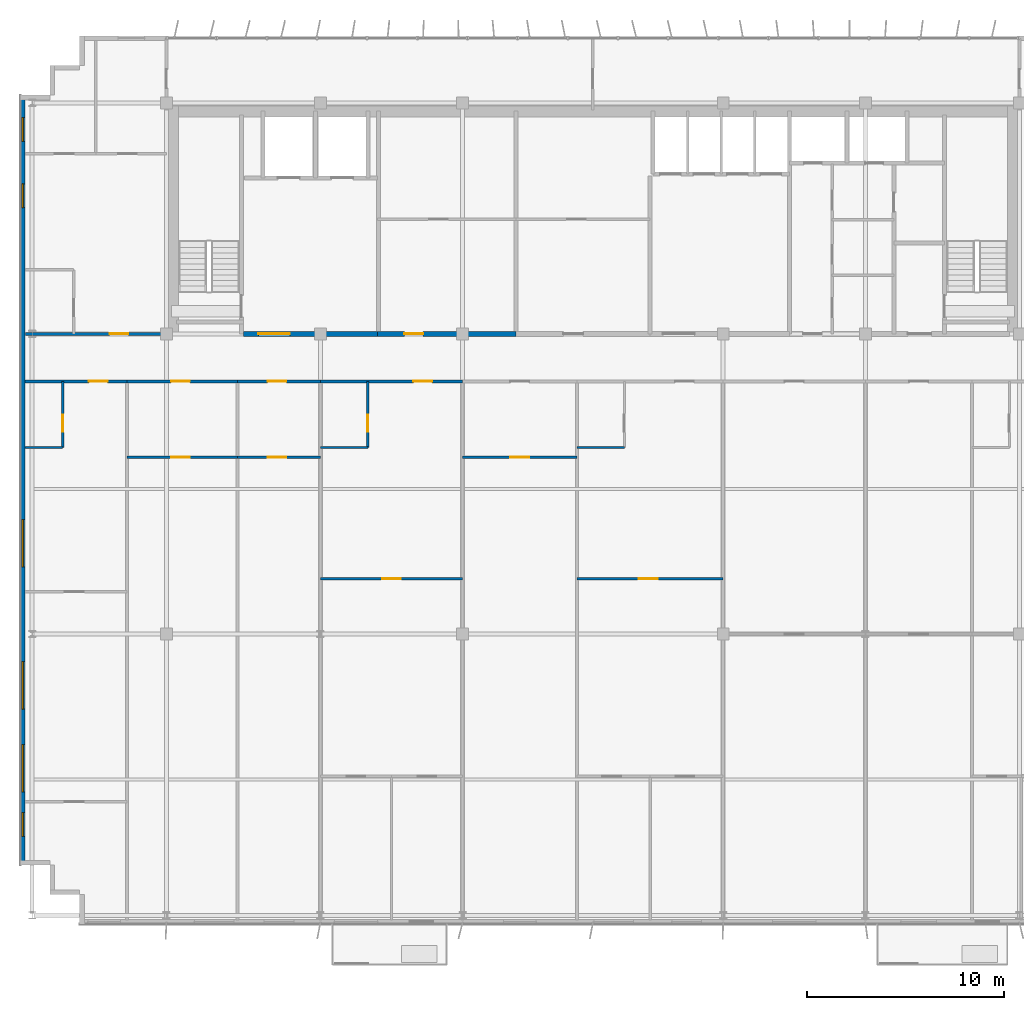
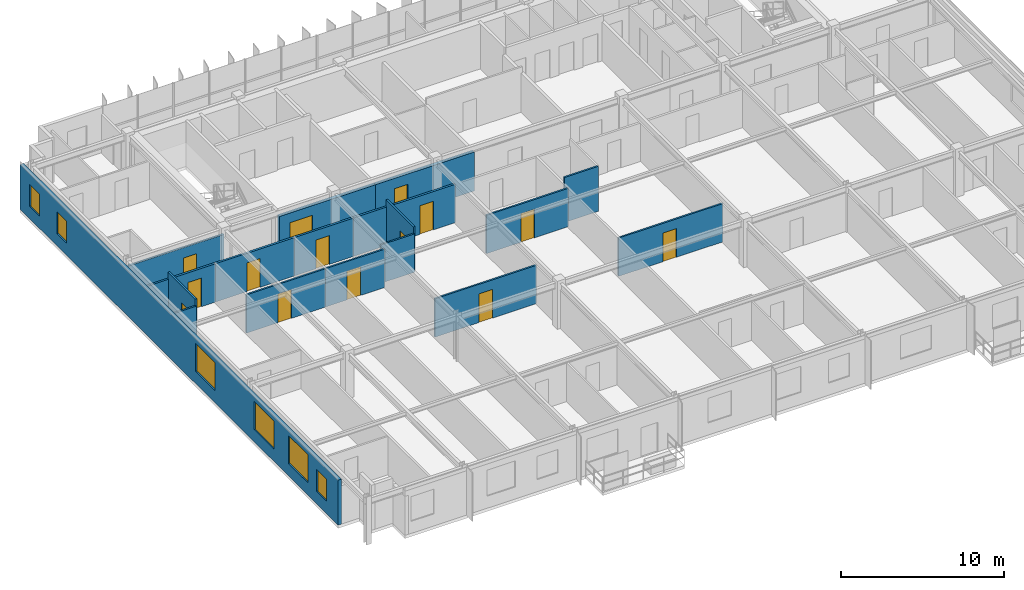
# One storey, part 17 of 23: 18 walls, 14 doors, 6 windows, 20 openings.
"""IFC4 building model written with IfcOpenShell, lengths in metres."""

from ifc_helpers import new_model, si_unit, direction, frame, frame_2d, origin, place, context, subcontext, project, spatial, rectangle, extrude, source, transform, mapped, material, layer, layer_set, type_object, element, fill, save


model = new_model("IFC4")

# Units and contexts
model_context = context("Model", 3, precision=1e-05, world=origin(), true_north=direction((0.0, 1.0)))
body_context = subcontext(model_context, "Body", "Model", "MODEL_VIEW")
ifc_project = project(units=[si_unit("LENGTHUNIT", "METRE"), si_unit("AREAUNIT", "SQUARE_METRE"), si_unit("VOLUMEUNIT", "CUBIC_METRE"), si_unit("PLANEANGLEUNIT", "RADIAN"), si_unit("MASSUNIT", "GRAM", prefix="KILO")], contexts=[model_context])

# Site, building, storey
site_placement = place(None, origin())
site = spatial("IfcSite", under=ifc_project, at=site_placement, CompositionType="ELEMENT")
building_placement = place(site_placement, origin())
building = spatial("IfcBuilding", under=site, at=building_placement, Name="Trelvane Seafront Commons", CompositionType="ELEMENT")
storey_placement = place(building_placement, frame((0.0, 0.0, 259.5)))
storey = spatial("IfcBuildingStorey", under=building, at=storey_placement, Name="L67", CompositionType="ELEMENT", Elevation=259.5)

# Wall, openings, windows
ifc_material_1 = material(Name="Precast concrete C40/50", Category="concrete")
ifc_layer_1 = layer(ifc_material_1, 0.239990234375, Name="ARCH-WALL-EXT240")
ifc_layer_set_1 = layer_set([ifc_layer_1], Name="Precast concrete C40/50")
wall_type_1 = type_object("IfcWallType", Name="ARCH-WALL-EXT240", PredefinedType="SOLIDWALL", material=ifc_layer_set_1)
wall_1_placement = place(storey_placement, frame((8.320068359375, 6.5, 0.0), z_axis=(0.0, 0.0, 1.0), x_axis=(0.0, 1.0, 0.0)))
wall_1 = element("IfcWall", 1, at=wall_1_placement, inside=storey, type_object=wall_type_1, Name="EW-L67-01345", PredefinedType="SOLIDWALL", context=body_context, shape_type="SweptSolid", body=[
    extrude(rectangle(XDim=39.0, YDim=0.239990234375, at=frame_2d((19.5, 0.0))), origin(), (0.0, 0.0, 1.0), 3.3701171875),
])
opening_1_placement = place(wall_1_placement, frame((1.449951171875, 0.0, 0.919921875)))
opening_1 = element("IfcOpeningElement", 2, at=opening_1_placement, cuts=wall_1, Name="Opening W05", PredefinedType="OPENING", context=body_context, shape_type="SweptSolid", body=[
    extrude(rectangle(XDim=1.199951171875, YDim=1.64990234375, at=frame_2d((0.60009765625, 0.824951171875))), frame((0.0, 0.1298828125, 0.0), z_axis=(0.0, -1.0, 0.0), x_axis=(1.0, 0.0, 0.0)), (0.0, 0.0, 1.0), 0.260009765625),
])
opening_2_placement = place(wall_1_placement, frame((3.699951171875, 0.0, 0.919921875)))
opening_2 = element("IfcOpeningElement", 3, at=opening_2_placement, cuts=wall_1, Name="Opening W08", PredefinedType="OPENING", context=body_context, shape_type="SweptSolid", body=[
    extrude(rectangle(XDim=2.39990234375, YDim=2.10009765625, at=frame_2d((1.199951171875, 1.050048828125))), frame((0.0, 0.1298828125, 0.0), z_axis=(0.0, -1.0, 0.0), x_axis=(1.0, 0.0, 0.0)), (0.0, 0.0, 1.0), 0.260009765625),
])
opening_3_placement = place(wall_1_placement, frame((7.89990234375, 0.0, 0.919921875)))
opening_3 = element("IfcOpeningElement", 4, at=opening_3_placement, cuts=wall_1, Name="Opening W08", PredefinedType="OPENING", context=body_context, shape_type="SweptSolid", body=[
    extrude(rectangle(XDim=2.39990234375, YDim=2.10009765625, at=frame_2d((1.199951171875, 1.050048828125))), frame((0.0, 0.1298828125, 0.0), z_axis=(0.0, -1.0, 0.0), x_axis=(1.0, 0.0, 0.0)), (0.0, 0.0, 1.0), 0.260009765625),
])
opening_4_placement = place(wall_1_placement, frame((15.10009765625, 0.0, 0.919921875)))
opening_4 = element("IfcOpeningElement", 5, at=opening_4_placement, cuts=wall_1, Name="Opening W08", PredefinedType="OPENING", context=body_context, shape_type="SweptSolid", body=[
    extrude(rectangle(XDim=2.39990234375, YDim=2.10009765625, at=frame_2d((1.199951171875, 1.050048828125))), frame((0.0, 0.1298828125, 0.0), z_axis=(0.0, -1.0, 0.0), x_axis=(1.0, 0.0, 0.0)), (0.0, 0.0, 1.0), 0.260009765625),
])
opening_5_placement = place(wall_1_placement, frame((33.300048828125, 0.0, 0.919921875)))
opening_5 = element("IfcOpeningElement", 6, at=opening_5_placement, cuts=wall_1, Name="Opening W05", PredefinedType="OPENING", context=body_context, shape_type="SweptSolid", body=[
    extrude(rectangle(XDim=1.199951171875, YDim=1.64990234375, at=frame_2d((0.60009765625, 0.824951171875))), frame((0.0, 0.1298828125, 0.0), z_axis=(0.0, -1.0, 0.0), x_axis=(1.0, 0.0, 0.0)), (0.0, 0.0, 1.0), 0.260009765625),
])
opening_6_placement = place(wall_1_placement, frame((36.64990234375, 0.0, 0.919921875)))
opening_6 = element("IfcOpeningElement", 7, at=opening_6_placement, cuts=wall_1, Name="Opening W05", PredefinedType="OPENING", context=body_context, shape_type="SweptSolid", body=[
    extrude(rectangle(XDim=1.199951171875, YDim=1.64990234375, at=frame_2d((0.60009765625, 0.824951171875))), frame((0.0, 0.1298828125, 0.0), z_axis=(0.0, -1.0, 0.0), x_axis=(1.0, 0.0, 0.0)), (0.0, 0.0, 1.0), 0.260009765625),
])
ifc_material_2 = material(Name="Low-E coastal double glazing", Category="glass")
window_type_1 = type_object("IfcWindowType", Name="ARCH-WIN-W08", PartitioningType="SINGLE_PANEL", PredefinedType="WINDOW", material=ifc_material_2)
shared_shape_1 = source(origin(), body_context, "Body", "SweptSolid", [
    extrude(rectangle(XDim=2.39990234375, YDim=2.10009765625, at=frame_2d((1.199951171875, 1.050048828125))), frame((0.0, 0.030029296875, 0.0), z_axis=(0.0, -1.0, 0.0), x_axis=(1.0, 0.0, 0.0)), (0.0, 0.0, 1.0), 0.06005859375),
])
window_1_placement = place(opening_2_placement, origin())
window_1 = element("IfcWindow", 8, at=window_1_placement, inside=storey, type_object=window_type_1, Name="WIN-L67-EW-01597", OverallHeight=2.10009765625, OverallWidth=2.39990234375, PartitioningType="SINGLE_PANEL", PredefinedType="WINDOW", context=body_context, shape_type="MappedRepresentation", body=[
    mapped(shared_shape_1, transform((0.0, 0.0, 0.0), x_axis=(1.0, 0.0, 0.0), y_axis=(0.0, 1.0, 0.0), z_axis=(0.0, 0.0, 1.0), scale=1.0)),
])
fill(opening_2, window_1)
window_2_placement = place(opening_3_placement, origin())
window_2 = element("IfcWindow", 9, at=window_2_placement, inside=storey, type_object=window_type_1, Name="WIN-L67-EW-01598", OverallHeight=2.10009765625, OverallWidth=2.39990234375, PartitioningType="SINGLE_PANEL", PredefinedType="WINDOW", context=body_context, shape_type="MappedRepresentation", body=[
    mapped(shared_shape_1, transform((0.0, 0.0, 0.0), x_axis=(1.0, 0.0, 0.0), y_axis=(0.0, 1.0, 0.0), z_axis=(0.0, 0.0, 1.0), scale=1.0)),
])
fill(opening_3, window_2)
window_3_placement = place(opening_4_placement, origin())
window_3 = element("IfcWindow", 10, at=window_3_placement, inside=storey, type_object=window_type_1, Name="WIN-L67-EW-01599", OverallHeight=2.10009765625, OverallWidth=2.39990234375, PartitioningType="SINGLE_PANEL", PredefinedType="WINDOW", context=body_context, shape_type="MappedRepresentation", body=[
    mapped(shared_shape_1, transform((0.0, 0.0, 0.0), x_axis=(1.0, 0.0, 0.0), y_axis=(0.0, 1.0, 0.0), z_axis=(0.0, 0.0, 1.0), scale=1.0)),
])
fill(opening_4, window_3)
window_type_2 = type_object("IfcWindowType", Name="ARCH-WIN-W05", PartitioningType="SINGLE_PANEL", PredefinedType="WINDOW", material=ifc_material_2)
shared_shape_2 = source(origin(), body_context, "Body", "SweptSolid", [
    extrude(rectangle(XDim=1.199951171875, YDim=1.64990234375, at=frame_2d((0.60009765625, 0.824951171875))), frame((0.0, 0.030029296875, 0.0), z_axis=(0.0, -1.0, 0.0), x_axis=(1.0, 0.0, 0.0)), (0.0, 0.0, 1.0), 0.06005859375),
])
window_4_placement = place(opening_1_placement, origin())
window_4 = element("IfcWindow", 11, at=window_4_placement, inside=storey, type_object=window_type_2, Name="WIN-L67-EW-01596", OverallHeight=1.64990234375, OverallWidth=1.199951171875, PartitioningType="SINGLE_PANEL", PredefinedType="WINDOW", context=body_context, shape_type="MappedRepresentation", body=[
    mapped(shared_shape_2, transform((0.0, 0.0, 0.0), x_axis=(1.0, 0.0, 0.0), y_axis=(0.0, 1.0, 0.0), z_axis=(0.0, 0.0, 1.0), scale=1.0)),
])
fill(opening_1, window_4)
window_5_placement = place(opening_5_placement, origin())
window_5 = element("IfcWindow", 12, at=window_5_placement, inside=storey, type_object=window_type_2, Name="WIN-L67-EW-01600", OverallHeight=1.64990234375, OverallWidth=1.199951171875, PartitioningType="SINGLE_PANEL", PredefinedType="WINDOW", context=body_context, shape_type="MappedRepresentation", body=[
    mapped(shared_shape_2, transform((0.0, 0.0, 0.0), x_axis=(1.0, 0.0, 0.0), y_axis=(0.0, 1.0, 0.0), z_axis=(0.0, 0.0, 1.0), scale=1.0)),
])
fill(opening_5, window_5)
window_6_placement = place(opening_6_placement, origin())
window_6 = element("IfcWindow", 13, at=window_6_placement, inside=storey, type_object=window_type_2, Name="WIN-L67-EW-01601", OverallHeight=1.64990234375, OverallWidth=1.199951171875, PartitioningType="SINGLE_PANEL", PredefinedType="WINDOW", context=body_context, shape_type="MappedRepresentation", body=[
    mapped(shared_shape_2, transform((0.0, 0.0, 0.0), x_axis=(1.0, 0.0, 0.0), y_axis=(0.0, 1.0, 0.0), z_axis=(0.0, 0.0, 1.0), scale=1.0)),
])
fill(opening_6, window_6)

# Wall, opening, door
ifc_material_3 = material(Name="Concrete C40/50", Category="concrete")
ifc_layer_2 = layer(ifc_material_3, 0.25, Name="ARCH-WALL-FIRE250")
ifc_layer_set_2 = layer_set([ifc_layer_2], Name="Concrete C40/50")
wall_type_2 = type_object("IfcWallType", Name="ARCH-WALL-FIRE250", PredefinedType="PARTITIONING", material=ifc_layer_set_2)
wall_2_placement = place(storey_placement, frame((19.5, 33.39990234375, 0.0), z_axis=(0.0, 0.0, 1.0), x_axis=(1.0, 0.0, 0.0)))
wall_2 = element("IfcWall", 14, at=wall_2_placement, inside=storey, type_object=wall_type_2, Name="W-L67-CS-FFL-013", PredefinedType="PARTITIONING", context=body_context, shape_type="SweptSolid", body=[
    extrude(rectangle(XDim=6.800048828125, YDim=0.25, at=frame_2d((3.39990234375, 0.0))), origin(), (0.0, 0.0, 1.0), 2.919921875),
])
opening_7_placement = place(wall_2_placement, frame((0.75, 0.0, 0.0)))
opening_7 = element("IfcOpeningElement", 15, at=opening_7_placement, cuts=wall_2, Name="Opening FD-L67-05", PredefinedType="OPENING", context=body_context, shape_type="SweptSolid", body=[
    extrude(rectangle(XDim=1.60009765625, YDim=2.199951171875, at=frame_2d((0.800048828125, 1.10009765625))), frame((0.0, 0.135009765625, 0.0), z_axis=(0.0, -1.0, 0.0), x_axis=(1.0, 0.0, 0.0)), (0.0, 0.0, 1.0), 0.27001953125),
])
ifc_material_4 = material(Name="Powder-coated aluminium frame", Category="aluminium")
door_type_1 = type_object("IfcDoorType", Name="ARCH-DR-FD60-1600", OperationType="DOUBLE_DOOR_SINGLE_SWING", PredefinedType="DOOR", material=ifc_material_4)
shared_shape_3 = source(origin(), body_context, "Body", "SweptSolid", [
    extrude(rectangle(XDim=1.60009765625, YDim=2.199951171875, at=frame_2d((0.800048828125, 1.10009765625))), frame((0.0, 0.02490234375, 0.0), z_axis=(0.0, -1.0, 0.0), x_axis=(1.0, 0.0, 0.0)), (0.0, 0.0, 1.0), 0.050048828125),
])
door_1_placement = place(opening_7_placement, origin())
door_1 = element("IfcDoor", 16, at=door_1_placement, inside=storey, type_object=door_type_1, Name="L67 Firefighting Lift Lobby Double Fire Door", OperationType="DOUBLE_DOOR_SINGLE_SWING", OverallHeight=2.199951171875, OverallWidth=1.60009765625, PredefinedType="DOOR", context=body_context, shape_type="MappedRepresentation", body=[
    mapped(shared_shape_3, transform((0.0, 0.0, 0.0), x_axis=(1.0, 0.0, 0.0), y_axis=(0.0, 1.0, 0.0), z_axis=(0.0, 0.0, 1.0), scale=1.0)),
])
fill(opening_7, door_1)

wall_3_placement = place(storey_placement, frame((26.300048828125, 33.39990234375, 0.0), z_axis=(0.0, 0.0, 1.0), x_axis=(1.0, 0.0, 0.0)))
wall_3 = element("IfcWall", 17, at=wall_3_placement, inside=storey, type_object=wall_type_2, Name="W-L67-CS-FPL-024", PredefinedType="PARTITIONING", context=body_context, shape_type="SweptSolid", body=[
    extrude(rectangle(XDim=7.0, YDim=0.25, at=frame_2d((3.5, 0.0))), origin(), (0.0, 0.0, 1.0), 2.919921875),
])
opening_8_placement = place(wall_3_placement, frame((1.35009765625, 0.0, 0.0)))
opening_8 = element("IfcOpeningElement", 18, at=opening_8_placement, cuts=wall_3, Name="Opening D-L67-12", PredefinedType="OPENING", context=body_context, shape_type="SweptSolid", body=[
    extrude(rectangle(XDim=0.949951171875, YDim=2.14990234375, at=frame_2d((0.47509765625, 1.074951171875))), frame((0.0, 0.135009765625, 0.0), z_axis=(0.0, -1.0, 0.0), x_axis=(1.0, 0.0, 0.0)), (0.0, 0.0, 1.0), 0.27001953125),
])
ifc_material_5 = material(Name="Acoustic timber door leaf", Category="wood")
door_type_2 = type_object("IfcDoorType", Name="ARCH-DR-INT950", OperationType="NOTDEFINED", PredefinedType="DOOR", material=ifc_material_5)
shared_shape_4 = source(origin(), body_context, "Body", "SweptSolid", [
    extrude(rectangle(XDim=0.949951171875, YDim=2.14990234375, at=frame_2d((0.47509765625, 1.074951171875))), frame((0.0, 0.02490234375, 0.0), z_axis=(0.0, -1.0, 0.0), x_axis=(1.0, 0.0, 0.0)), (0.0, 0.0, 1.0), 0.050048828125),
])
door_2_placement = place(opening_8_placement, origin())
door_2 = element("IfcDoor", 19, at=door_2_placement, inside=storey, type_object=door_type_2, Name="L67 Floor Pantry Entrance Door", OperationType="SINGLE_SWING_RIGHT", OverallHeight=2.14990234375, OverallWidth=0.949951171875, PredefinedType="DOOR", context=body_context, shape_type="MappedRepresentation", body=[
    mapped(shared_shape_4, transform((0.0, 0.0, 0.0), x_axis=(1.0, 0.0, 0.0), y_axis=(0.0, 1.0, 0.0), z_axis=(0.0, 0.0, 1.0), scale=1.0)),
])
fill(opening_8, door_2)

ifc_material_6 = material(Name="Gypsum Drywall Acoustic Partition")
ifc_layer_3 = layer(ifc_material_6, 0.1201171875, Name="ARCH-WALL-PART120")
ifc_layer_set_3 = layer_set([ifc_layer_3], Name="Gypsum Drywall Acoustic Partition")
wall_type_3 = type_object("IfcWallType", Name="ARCH-WALL-PART120", PredefinedType="PARTITIONING", material=ifc_layer_set_3)
wall_4_placement = place(storey_placement, frame((10.340087890625, 27.64990234375, 0.0), z_axis=(0.0, 0.0, 1.0), x_axis=(0.0, 1.0, 0.0)))
wall_4 = element("IfcWall", 20, at=wall_4_placement, inside=storey, type_object=wall_type_3, Name="W-L67-U1-BE-056", PredefinedType="PARTITIONING", context=body_context, shape_type="SweptSolid", body=[
    extrude(rectangle(XDim=3.35009765625, YDim=0.1201171875, at=frame_2d((1.675048828125, 0.0))), origin(), (0.0, 0.0, 1.0), 3.3701171875),
])
opening_9_placement = place(wall_4_placement, frame((0.800048828125, 0.0, 0.0)))
opening_9 = element("IfcOpeningElement", 21, at=opening_9_placement, cuts=wall_4, Name="Opening D-L67-32", PredefinedType="OPENING", context=body_context, shape_type="SweptSolid", body=[
    extrude(rectangle(XDim=0.85009765625, YDim=2.10009765625, at=frame_2d((0.425048828125, 1.050048828125))), frame((0.0, 0.070068359375, 0.0), z_axis=(0.0, -1.0, 0.0), x_axis=(1.0, 0.0, 0.0)), (0.0, 0.0, 1.0), 0.14013671875),
])
door_type_3 = type_object("IfcDoorType", Name="ARCH-DR-INT850", OperationType="NOTDEFINED", PredefinedType="DOOR", material=ifc_material_5)
shared_shape_5 = source(origin(), body_context, "Body", "SweptSolid", [
    extrude(rectangle(XDim=0.85009765625, YDim=2.10009765625, at=frame_2d((0.425048828125, 1.050048828125))), frame((0.0, 0.02490234375, 0.0), z_axis=(0.0, -1.0, 0.0), x_axis=(1.0, 0.0, 0.0)), (0.0, 0.0, 1.0), 0.050048828125),
])
door_3_placement = place(opening_9_placement, origin())
door_3 = element("IfcDoor", 22, at=door_3_placement, inside=storey, type_object=door_type_3, Name="L67 Door 32", OperationType="SINGLE_SWING_RIGHT", OverallHeight=2.10009765625, OverallWidth=0.85009765625, PredefinedType="DOOR", context=body_context, shape_type="MappedRepresentation", body=[
    mapped(shared_shape_5, transform((0.0, 0.0, 0.0), x_axis=(1.0, 0.0, 0.0), y_axis=(0.0, 1.0, 0.0), z_axis=(0.0, 0.0, 1.0), scale=1.0)),
])
fill(opening_9, door_3)

# Wall
wall_5_placement = place(storey_placement, frame((8.43994140625, 27.64990234375, 0.0), z_axis=(0.0, 0.0, 1.0), x_axis=(1.0, 0.0, 0.0)))
element("IfcWall", 23, at=wall_5_placement, inside=storey, type_object=wall_type_3, Name="W-L67-U1-BS-057", PredefinedType="PARTITIONING", context=body_context, shape_type="SweptSolid", body=[
    extrude(rectangle(XDim=1.900146484375, YDim=0.1201171875, at=frame_2d((0.9501953125, 0.0))), origin(), (0.0, 0.0, 1.0), 2.8701171875),
])

# Wall, opening, door
wall_6_placement = place(storey_placement, frame((13.60009765625, 27.14990234375, 0.0), z_axis=(0.0, 0.0, 1.0), x_axis=(1.0, 0.0, 0.0)))
wall_6 = element("IfcWall", 24, at=wall_6_placement, inside=storey, type_object=wall_type_3, Name="W-L67-U2-DIV-061", PredefinedType="PARTITIONING", context=body_context, shape_type="SweptSolid", body=[
    extrude(rectangle(XDim=5.599853515625, YDim=0.1201171875, at=frame_2d((2.7998046875, 0.0))), origin(), (0.0, 0.0, 1.0), 2.8701171875),
])
opening_10_placement = place(wall_6_placement, frame((2.23193359375, 0.0, 0.0)))
opening_10 = element("IfcOpeningElement", 25, at=opening_10_placement, cuts=wall_6, Name="Opening D-L67-36", PredefinedType="OPENING", context=body_context, shape_type="SweptSolid", body=[
    extrude(rectangle(XDim=0.949951171875, YDim=2.14990234375, at=frame_2d((0.47509765625, 1.074951171875))), frame((0.0, 0.070068359375, 0.0), z_axis=(0.0, -1.0, 0.0), x_axis=(1.0, 0.0, 0.0)), (0.0, 0.0, 1.0), 0.14013671875),
])
door_4_placement = place(opening_10_placement, origin())
door_4 = element("IfcDoor", 26, at=door_4_placement, inside=storey, type_object=door_type_2, Name="L67 Door 36", OperationType="SINGLE_SWING_RIGHT", OverallHeight=2.14990234375, OverallWidth=0.949951171875, PredefinedType="DOOR", context=body_context, shape_type="MappedRepresentation", body=[
    mapped(shared_shape_4, transform((0.0, 0.0, 0.0), x_axis=(1.0, 0.0, 0.0), y_axis=(0.0, 1.0, 0.0), z_axis=(0.0, 0.0, 1.0), scale=1.0)),
])
fill(opening_10, door_4)

wall_7_placement = place(storey_placement, frame((19.199951171875, 27.14990234375, 0.0), z_axis=(0.0, 0.0, 1.0), x_axis=(1.0, 0.0, 0.0)))
wall_7 = element("IfcWall", 27, at=wall_7_placement, inside=storey, type_object=wall_type_3, Name="W-L67-U3-DIV-063", PredefinedType="PARTITIONING", context=body_context, shape_type="SweptSolid", body=[
    extrude(rectangle(XDim=4.199951171875, YDim=0.1201171875, at=frame_2d((2.10009765625, 0.0))), origin(), (0.0, 0.0, 1.0), 2.8701171875),
])
opening_11_placement = place(wall_7_placement, frame((1.529052734375, 0.0, 0.0)))
opening_11 = element("IfcOpeningElement", 28, at=opening_11_placement, cuts=wall_7, Name="Opening D-L67-38", PredefinedType="OPENING", context=body_context, shape_type="SweptSolid", body=[
    extrude(rectangle(XDim=0.949951171875, YDim=2.14990234375, at=frame_2d((0.47509765625, 1.074951171875))), frame((0.0, 0.070068359375, 0.0), z_axis=(0.0, -1.0, 0.0), x_axis=(1.0, 0.0, 0.0)), (0.0, 0.0, 1.0), 0.14013671875),
])
door_5_placement = place(opening_11_placement, origin())
door_5 = element("IfcDoor", 29, at=door_5_placement, inside=storey, type_object=door_type_2, Name="L67 Door 38", OperationType="SINGLE_SWING_RIGHT", OverallHeight=2.14990234375, OverallWidth=0.949951171875, PredefinedType="DOOR", context=body_context, shape_type="MappedRepresentation", body=[
    mapped(shared_shape_4, transform((0.0, 0.0, 0.0), x_axis=(1.0, 0.0, 0.0), y_axis=(0.0, 1.0, 0.0), z_axis=(0.0, 0.0, 1.0), scale=1.0)),
])
fill(opening_11, door_5)

wall_8_placement = place(storey_placement, frame((23.39990234375, 21.0, 0.0), z_axis=(0.0, 0.0, 1.0), x_axis=(1.0, 0.0, 0.0)))
wall_8 = element("IfcWall", 30, at=wall_8_placement, inside=storey, type_object=wall_type_3, Name="W-L67-U4-KL-064", PredefinedType="PARTITIONING", context=body_context, shape_type="SweptSolid", body=[
    extrude(rectangle(XDim=7.2001953125, YDim=0.1201171875, at=frame_2d((3.60009765625, 0.0))), origin(), (0.0, 0.0, 1.0), 2.8701171875),
])
opening_12_placement = place(wall_8_placement, frame((3.125, 0.0, 0.0)))
opening_12 = element("IfcOpeningElement", 31, at=opening_12_placement, cuts=wall_8, Name="Opening D-L67-39", PredefinedType="OPENING", context=body_context, shape_type="SweptSolid", body=[
    extrude(rectangle(XDim=0.949951171875, YDim=2.14990234375, at=frame_2d((0.47509765625, 1.074951171875))), frame((0.0, 0.070068359375, 0.0), z_axis=(0.0, -1.0, 0.0), x_axis=(1.0, 0.0, 0.0)), (0.0, 0.0, 1.0), 0.14013671875),
])
door_6_placement = place(opening_12_placement, origin())
door_6 = element("IfcDoor", 32, at=door_6_placement, inside=storey, type_object=door_type_2, Name="L67 Door 39", OperationType="SINGLE_SWING_LEFT", OverallHeight=2.14990234375, OverallWidth=0.949951171875, PredefinedType="DOOR", context=body_context, shape_type="MappedRepresentation", body=[
    mapped(shared_shape_4, transform((0.0, 0.0, 0.0), x_axis=(1.0, 0.0, 0.0), y_axis=(0.0, 1.0, 0.0), z_axis=(0.0, 0.0, 1.0), scale=1.0)),
])
fill(opening_12, door_6)

wall_9_placement = place(storey_placement, frame((25.800048828125, 27.64990234375, 0.0), z_axis=(0.0, 0.0, 1.0), x_axis=(0.0, 1.0, 0.0)))
wall_9 = element("IfcWall", 33, at=wall_9_placement, inside=storey, type_object=wall_type_3, Name="W-L67-U4-BE-065", PredefinedType="PARTITIONING", context=body_context, shape_type="SweptSolid", body=[
    extrude(rectangle(XDim=3.35009765625, YDim=0.1201171875, at=frame_2d((1.675048828125, 0.0))), origin(), (0.0, 0.0, 1.0), 3.3701171875),
])
opening_13_placement = place(wall_9_placement, frame((0.800048828125, 0.0, 0.0)))
opening_13 = element("IfcOpeningElement", 34, at=opening_13_placement, cuts=wall_9, Name="Opening D-L67-40", PredefinedType="OPENING", context=body_context, shape_type="SweptSolid", body=[
    extrude(rectangle(XDim=0.85009765625, YDim=2.10009765625, at=frame_2d((0.425048828125, 1.050048828125))), frame((0.0, 0.070068359375, 0.0), z_axis=(0.0, -1.0, 0.0), x_axis=(1.0, 0.0, 0.0)), (0.0, 0.0, 1.0), 0.14013671875),
])
door_7_placement = place(opening_13_placement, origin())
door_7 = element("IfcDoor", 35, at=door_7_placement, inside=storey, type_object=door_type_3, Name="L67 Door 40", OperationType="SINGLE_SWING_RIGHT", OverallHeight=2.10009765625, OverallWidth=0.85009765625, PredefinedType="DOOR", context=body_context, shape_type="MappedRepresentation", body=[
    mapped(shared_shape_5, transform((0.0, 0.0, 0.0), x_axis=(1.0, 0.0, 0.0), y_axis=(0.0, 1.0, 0.0), z_axis=(0.0, 0.0, 1.0), scale=1.0)),
])
fill(opening_13, door_7)

# Wall
wall_10_placement = place(storey_placement, frame((23.39990234375, 27.64990234375, 0.0), z_axis=(0.0, 0.0, 1.0), x_axis=(1.0, 0.0, 0.0)))
element("IfcWall", 36, at=wall_10_placement, inside=storey, type_object=wall_type_3, Name="W-L67-U4-BS-066", PredefinedType="PARTITIONING", context=body_context, shape_type="SweptSolid", body=[
    extrude(rectangle(XDim=2.400146484375, YDim=0.1201171875, at=frame_2d((1.2001953125, 0.0))), origin(), (0.0, 0.0, 1.0), 2.8701171875),
])

# Wall, opening, door
wall_11_placement = place(storey_placement, frame((30.60009765625, 27.14990234375, 0.0), z_axis=(0.0, 0.0, 1.0), x_axis=(1.0, 0.0, 0.0)))
wall_11 = element("IfcWall", 37, at=wall_11_placement, inside=storey, type_object=wall_type_3, Name="W-L67-U5-DIV-072", PredefinedType="PARTITIONING", context=body_context, shape_type="SweptSolid", body=[
    extrude(rectangle(XDim=5.7998046875, YDim=0.1201171875, at=frame_2d((2.89990234375, 0.0))), origin(), (0.0, 0.0, 1.0), 2.8701171875),
])
opening_14_placement = place(wall_11_placement, frame((2.425048828125, 0.0, 0.0)))
opening_14 = element("IfcOpeningElement", 38, at=opening_14_placement, cuts=wall_11, Name="Opening D-L67-45", PredefinedType="OPENING", context=body_context, shape_type="SweptSolid", body=[
    extrude(rectangle(XDim=0.949951171875, YDim=2.14990234375, at=frame_2d((0.47509765625, 1.074951171875))), frame((0.0, 0.070068359375, 0.0), z_axis=(0.0, -1.0, 0.0), x_axis=(1.0, 0.0, 0.0)), (0.0, 0.0, 1.0), 0.14013671875),
])
door_8_placement = place(opening_14_placement, origin())
door_8 = element("IfcDoor", 39, at=door_8_placement, inside=storey, type_object=door_type_2, Name="L67 Door 45", OperationType="SINGLE_SWING_LEFT", OverallHeight=2.14990234375, OverallWidth=0.949951171875, PredefinedType="DOOR", context=body_context, shape_type="MappedRepresentation", body=[
    mapped(shared_shape_4, transform((0.0, 0.0, 0.0), x_axis=(1.0, 0.0, 0.0), y_axis=(0.0, 1.0, 0.0), z_axis=(0.0, 0.0, 1.0), scale=1.0)),
])
fill(opening_14, door_8)

wall_12_placement = place(storey_placement, frame((36.39990234375, 21.0, 0.0), z_axis=(0.0, 0.0, 1.0), x_axis=(1.0, 0.0, 0.0)))
wall_12 = element("IfcWall", 40, at=wall_12_placement, inside=storey, type_object=wall_type_3, Name="W-L67-U6-KL-073", PredefinedType="PARTITIONING", context=body_context, shape_type="SweptSolid", body=[
    extrude(rectangle(XDim=7.400146484375, YDim=0.1201171875, at=frame_2d((3.7001953125, 0.0))), origin(), (0.0, 0.0, 1.0), 2.8701171875),
])
opening_15_placement = place(wall_12_placement, frame((3.133056640625, 0.0, 0.0)))
opening_15 = element("IfcOpeningElement", 41, at=opening_15_placement, cuts=wall_12, Name="Opening D-L67-46", PredefinedType="OPENING", context=body_context, shape_type="SweptSolid", body=[
    extrude(rectangle(XDim=0.949951171875, YDim=2.14990234375, at=frame_2d((0.47509765625, 1.074951171875))), frame((0.0, 0.070068359375, 0.0), z_axis=(0.0, -1.0, 0.0), x_axis=(1.0, 0.0, 0.0)), (0.0, 0.0, 1.0), 0.14013671875),
])
door_9_placement = place(opening_15_placement, origin())
door_9 = element("IfcDoor", 42, at=door_9_placement, inside=storey, type_object=door_type_2, Name="L67 Door 46", OperationType="SINGLE_SWING_RIGHT", OverallHeight=2.14990234375, OverallWidth=0.949951171875, PredefinedType="DOOR", context=body_context, shape_type="MappedRepresentation", body=[
    mapped(shared_shape_4, transform((0.0, 0.0, 0.0), x_axis=(1.0, 0.0, 0.0), y_axis=(0.0, 1.0, 0.0), z_axis=(0.0, 0.0, 1.0), scale=1.0)),
])
fill(opening_15, door_9)

# Wall
wall_13_placement = place(storey_placement, frame((36.39990234375, 27.64990234375, 0.0), z_axis=(0.0, 0.0, 1.0), x_axis=(1.0, 0.0, 0.0)))
element("IfcWall", 43, at=wall_13_placement, inside=storey, type_object=wall_type_3, Name="W-L67-U6-BS-075", PredefinedType="PARTITIONING", context=body_context, shape_type="SweptSolid", body=[
    extrude(rectangle(XDim=2.400146484375, YDim=0.1201171875, at=frame_2d((1.2001953125, 0.0))), origin(), (0.0, 0.0, 1.0), 3.3701171875),
])

# Wall, opening, door
ifc_layer_4 = layer(ifc_material_6, 0.14990234375, Name="ARCH-WALL-PART150")
ifc_layer_set_4 = layer_set([ifc_layer_4], Name="Gypsum Drywall Acoustic Partition")
wall_type_4 = type_object("IfcWallType", Name="ARCH-WALL-PART150", PredefinedType="PARTITIONING", material=ifc_layer_set_4)
wall_14_placement = place(storey_placement, frame((8.449951171875, 33.39990234375, 0.0), z_axis=(0.0, 0.0, 1.0), x_axis=(1.0, 0.0, 0.0)))
wall_14 = element("IfcWall", 44, at=wall_14_placement, inside=storey, type_object=wall_type_4, Name="W-L67-NW-ENT-041", PredefinedType="PARTITIONING", context=body_context, shape_type="SweptSolid", body=[
    extrude(rectangle(XDim=7.150146484375, YDim=0.14990234375, at=frame_2d((3.5751953125, 0.0))), origin(), (0.0, 0.0, 1.0), 2.919921875),
])
opening_16_placement = place(wall_14_placement, frame((4.27001953125, 0.0, 0.0)))
opening_16 = element("IfcOpeningElement", 45, at=opening_16_placement, cuts=wall_14, Name="Opening FD-L67-26", PredefinedType="OPENING", context=body_context, shape_type="SweptSolid", body=[
    extrude(rectangle(XDim=0.949951171875, YDim=2.14990234375, at=frame_2d((0.47509765625, 1.074951171875))), frame((0.0, 0.0849609375, 0.0), z_axis=(0.0, -1.0, 0.0), x_axis=(1.0, 0.0, 0.0)), (0.0, 0.0, 1.0), 0.169921875),
])
door_type_4 = type_object("IfcDoorType", Name="ARCH-DR-FD60-950", OperationType="NOTDEFINED", PredefinedType="DOOR", material=ifc_material_4)
door_10_placement = place(opening_16_placement, origin())
door_10 = element("IfcDoor", 46, at=door_10_placement, inside=storey, type_object=door_type_4, Name="L67 NW Flat Entrance Door", OperationType="SINGLE_SWING_RIGHT", OverallHeight=2.14990234375, OverallWidth=0.949951171875, PredefinedType="DOOR", context=body_context, shape_type="MappedRepresentation", body=[
    mapped(shared_shape_4, transform((0.0, 0.0, 0.0), x_axis=(1.0, 0.0, 0.0), y_axis=(0.0, 1.0, 0.0), z_axis=(0.0, 0.0, 1.0), scale=1.0)),
])
fill(opening_16, door_10)

wall_15_placement = place(storey_placement, frame((8.425048828125, 31.0, 0.0), z_axis=(0.0, 0.0, 1.0), x_axis=(1.0, 0.0, 0.0)))
wall_15 = element("IfcWall", 47, at=wall_15_placement, inside=storey, type_object=wall_type_4, Name="W-L67-CS-BAY-1-058", PredefinedType="PARTITIONING", context=body_context, shape_type="SweptSolid", body=[
    extrude(rectangle(XDim=5.175048828125, YDim=0.14990234375, at=frame_2d((2.58740234375, 0.0))), origin(), (0.0, 0.0, 1.0), 2.8701171875),
])
opening_17_placement = place(wall_15_placement, frame((3.243896484375, 0.0, 0.0)))
opening_17 = element("IfcOpeningElement", 48, at=opening_17_placement, cuts=wall_15, Name="Opening FD-L67-33", PredefinedType="OPENING", context=body_context, shape_type="SweptSolid", body=[
    extrude(rectangle(XDim=0.949951171875, YDim=2.14990234375, at=frame_2d((0.47509765625, 1.074951171875))), frame((0.0, 0.0849609375, 0.0), z_axis=(0.0, -1.0, 0.0), x_axis=(1.0, 0.0, 0.0)), (0.0, 0.0, 1.0), 0.169921875),
])
door_11_placement = place(opening_17_placement, origin())
door_11 = element("IfcDoor", 49, at=door_11_placement, inside=storey, type_object=door_type_4, Name="L67 Unit 01 Entrance Door", OperationType="SINGLE_SWING_LEFT", OverallHeight=2.14990234375, OverallWidth=0.949951171875, PredefinedType="DOOR", context=body_context, shape_type="MappedRepresentation", body=[
    mapped(shared_shape_4, transform((0.0, 0.0, 0.0), x_axis=(1.0, 0.0, 0.0), y_axis=(0.0, 1.0, 0.0), z_axis=(0.0, 0.0, 1.0), scale=1.0)),
])
fill(opening_17, door_11)

wall_16_placement = place(storey_placement, frame((13.60009765625, 31.0, 0.0), z_axis=(0.0, 0.0, 1.0), x_axis=(1.0, 0.0, 0.0)))
wall_16 = element("IfcWall", 50, at=wall_16_placement, inside=storey, type_object=wall_type_4, Name="W-L67-CS-BAY-2-060", PredefinedType="PARTITIONING", context=body_context, shape_type="SweptSolid", body=[
    extrude(rectangle(XDim=5.599853515625, YDim=0.14990234375, at=frame_2d((2.7998046875, 0.0))), origin(), (0.0, 0.0, 1.0), 2.8701171875),
])
opening_18_placement = place(wall_16_placement, frame((2.23193359375, 0.0, 0.0)))
opening_18 = element("IfcOpeningElement", 51, at=opening_18_placement, cuts=wall_16, Name="Opening FD-L67-35", PredefinedType="OPENING", context=body_context, shape_type="SweptSolid", body=[
    extrude(rectangle(XDim=0.949951171875, YDim=2.14990234375, at=frame_2d((0.47509765625, 1.074951171875))), frame((0.0, 0.0849609375, 0.0), z_axis=(0.0, -1.0, 0.0), x_axis=(1.0, 0.0, 0.0)), (0.0, 0.0, 1.0), 0.169921875),
])
door_12_placement = place(opening_18_placement, origin())
door_12 = element("IfcDoor", 52, at=door_12_placement, inside=storey, type_object=door_type_4, Name="L67 Bay 02 Entrance Door", OperationType="SINGLE_SWING_LEFT", OverallHeight=2.14990234375, OverallWidth=0.949951171875, PredefinedType="DOOR", context=body_context, shape_type="MappedRepresentation", body=[
    mapped(shared_shape_4, transform((0.0, 0.0, 0.0), x_axis=(1.0, 0.0, 0.0), y_axis=(0.0, 1.0, 0.0), z_axis=(0.0, 0.0, 1.0), scale=1.0)),
])
fill(opening_18, door_12)

wall_17_placement = place(storey_placement, frame((19.199951171875, 31.0, 0.0), z_axis=(0.0, 0.0, 1.0), x_axis=(1.0, 0.0, 0.0)))
wall_17 = element("IfcWall", 53, at=wall_17_placement, inside=storey, type_object=wall_type_4, Name="W-L67-CS-BAY-3-062", PredefinedType="PARTITIONING", context=body_context, shape_type="SweptSolid", body=[
    extrude(rectangle(XDim=4.199951171875, YDim=0.14990234375, at=frame_2d((2.10009765625, 0.0))), origin(), (0.0, 0.0, 1.0), 2.8701171875),
])
opening_19_placement = place(wall_17_placement, frame((1.529052734375, 0.0, 0.0)))
opening_19 = element("IfcOpeningElement", 54, at=opening_19_placement, cuts=wall_17, Name="Opening FD-L67-37", PredefinedType="OPENING", context=body_context, shape_type="SweptSolid", body=[
    extrude(rectangle(XDim=0.949951171875, YDim=2.14990234375, at=frame_2d((0.47509765625, 1.074951171875))), frame((0.0, 0.0849609375, 0.0), z_axis=(0.0, -1.0, 0.0), x_axis=(1.0, 0.0, 0.0)), (0.0, 0.0, 1.0), 0.169921875),
])
door_13_placement = place(opening_19_placement, origin())
door_13 = element("IfcDoor", 55, at=door_13_placement, inside=storey, type_object=door_type_4, Name="L67 Bay 03 Entrance Door", OperationType="SINGLE_SWING_LEFT", OverallHeight=2.14990234375, OverallWidth=0.949951171875, PredefinedType="DOOR", context=body_context, shape_type="MappedRepresentation", body=[
    mapped(shared_shape_4, transform((0.0, 0.0, 0.0), x_axis=(1.0, 0.0, 0.0), y_axis=(0.0, 1.0, 0.0), z_axis=(0.0, 0.0, 1.0), scale=1.0)),
])
fill(opening_19, door_13)

wall_18_placement = place(storey_placement, frame((23.39990234375, 31.0, 0.0), z_axis=(0.0, 0.0, 1.0), x_axis=(1.0, 0.0, 0.0)))
wall_18 = element("IfcWall", 56, at=wall_18_placement, inside=storey, type_object=wall_type_4, Name="W-L67-CS-BAY-4-067", PredefinedType="PARTITIONING", context=body_context, shape_type="SweptSolid", body=[
    extrude(rectangle(XDim=7.2001953125, YDim=0.14990234375, at=frame_2d((3.60009765625, 0.0))), origin(), (0.0, 0.0, 1.0), 2.8701171875),
])
opening_20_placement = place(wall_18_placement, frame((4.7060546875, 0.0, 0.0)))
opening_20 = element("IfcOpeningElement", 57, at=opening_20_placement, cuts=wall_18, Name="Opening FD-L67-41", PredefinedType="OPENING", context=body_context, shape_type="SweptSolid", body=[
    extrude(rectangle(XDim=0.949951171875, YDim=2.14990234375, at=frame_2d((0.47509765625, 1.074951171875))), frame((0.0, 0.0849609375, 0.0), z_axis=(0.0, -1.0, 0.0), x_axis=(1.0, 0.0, 0.0)), (0.0, 0.0, 1.0), 0.169921875),
])
door_14_placement = place(opening_20_placement, origin())
door_14 = element("IfcDoor", 58, at=door_14_placement, inside=storey, type_object=door_type_4, Name="L67 Unit 04 Entrance Door", OperationType="SINGLE_SWING_LEFT", OverallHeight=2.14990234375, OverallWidth=0.949951171875, PredefinedType="DOOR", context=body_context, shape_type="MappedRepresentation", body=[
    mapped(shared_shape_4, transform((0.0, 0.0, 0.0), x_axis=(1.0, 0.0, 0.0), y_axis=(0.0, 1.0, 0.0), z_axis=(0.0, 0.0, 1.0), scale=1.0)),
])
fill(opening_20, door_14)

save(model, "model.ifc")
